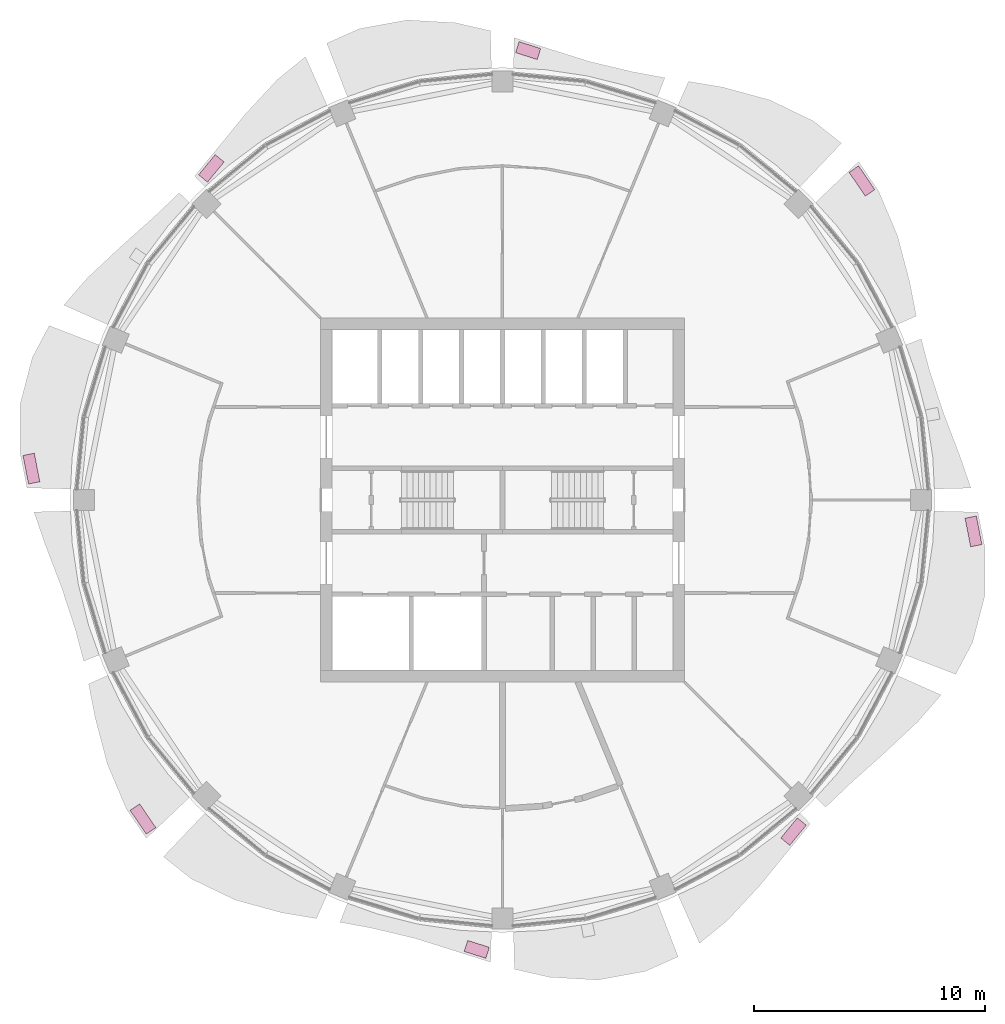
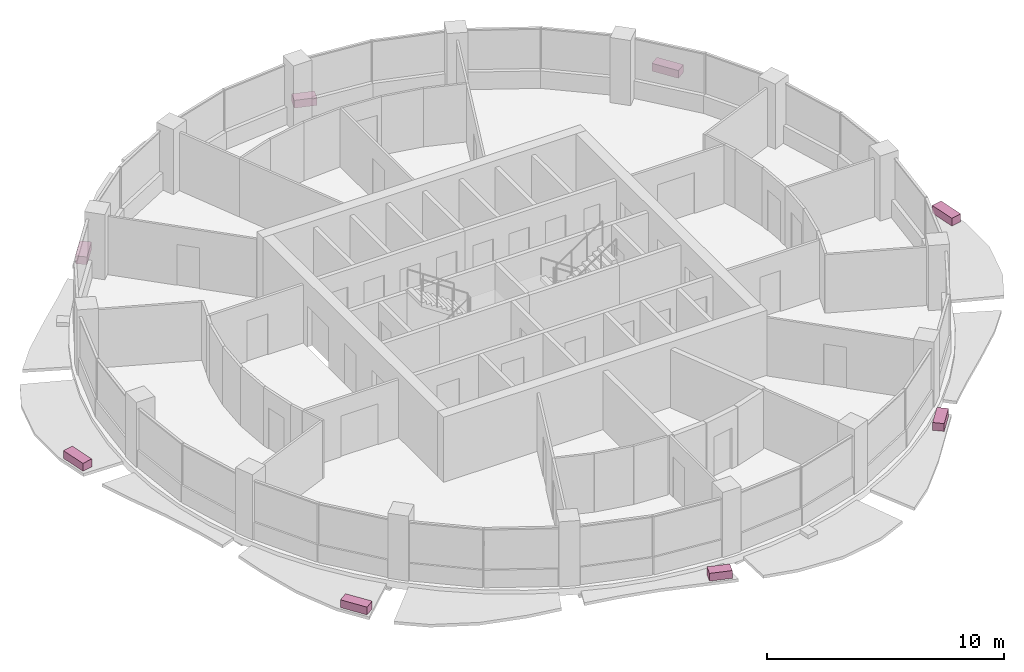
# One storey, part 15 of 15: 8 furniture elements.
"""IFC4 building model written with IfcOpenShell, lengths in metres."""

from ifc_helpers import new_model, si_unit, direction, frame, origin, origin_2d, place, context, subcontext, project, spatial, rectangle, extrude, material, type_object, element, save


model = new_model("IFC4")

# Units and contexts
model_context = context("Model", 3, precision=1e-05, world=origin(), true_north=direction((0.0, 1.0)))
body_context = subcontext(model_context, "Body", "Model", "MODEL_VIEW")
ifc_project = project(units=[si_unit("LENGTHUNIT", "METRE"), si_unit("AREAUNIT", "SQUARE_METRE"), si_unit("VOLUMEUNIT", "CUBIC_METRE"), si_unit("PLANEANGLEUNIT", "RADIAN"), si_unit("MASSUNIT", "GRAM", prefix="KILO")], contexts=[model_context])

# Site, building, storey
site_placement = place(None, origin())
site = spatial("IfcSite", under=ifc_project, at=site_placement, CompositionType="ELEMENT")
building_placement = place(site_placement, origin())
building = spatial("IfcBuilding", under=site, at=building_placement, Name="Polderwave Tower", CompositionType="ELEMENT")
storey_placement = place(building_placement, frame((0.0, 0.0, 174.25)))
storey = spatial("IfcBuildingStorey", under=building, at=storey_placement, Name="L46", CompositionType="ELEMENT", Elevation=174.25)

# Furniture
ifc_material = material(Name="Terracotta", Category="masonry")
furniture_type = type_object("IfcFurnitureType", Name="Terracotta planting trough", AssemblyPlace="NOTDEFINED", PredefinedType="USERDEFINED", material=ifc_material)
furniture_1_placement = place(storey_placement, frame((15.544921875, 13.795166015625, -0.199951171875), z_axis=(0.0, 0.0, 1.0), x_axis=(-0.563550559519, 0.826081573978, 0.0)))
element("IfcFurniture", 1, at=furniture_1_placement, inside=storey, type_object=furniture_type, Name="Planting trough L46 2", ObjectType="PLANTER", PredefinedType="USERDEFINED", context=body_context, shape_type="SweptSolid", body=[
    extrude(rectangle(XDim=1.24853515625, YDim=0.5, at=origin_2d()), origin(), (0.0, 0.0, 1.0), 0.39990234375),
])
furniture_2_placement = place(storey_placement, frame((1.111328125, 19.4326171875, -0.199951171875), z_axis=(0.0, 0.0, 1.0), x_axis=(-0.953201221913, 0.302336617935, 0.0)))
element("IfcFurniture", 2, at=furniture_2_placement, inside=storey, type_object=furniture_type, Name="Planting trough L46 4", ObjectType="PLANTER", PredefinedType="USERDEFINED", context=body_context, shape_type="SweptSolid", body=[
    extrude(rectangle(XDim=0.984619140625, YDim=0.5, at=origin_2d()), origin(), (0.0, 0.0, 1.0), 0.39990234375),
])
furniture_3_placement = place(storey_placement, frame((-12.587158203125, 14.3388671875, -0.199951171875), z_axis=(0.0, 0.0, 1.0), x_axis=(-0.634628008356, -0.772817760543, 0.0)))
element("IfcFurniture", 3, at=furniture_3_placement, inside=storey, type_object=furniture_type, Name="Planting trough L46 6", ObjectType="PLANTER", PredefinedType="USERDEFINED", context=body_context, shape_type="SweptSolid", body=[
    extrude(rectangle(XDim=1.130859375, YDim=0.5, at=origin_2d()), origin(), (0.0, 0.0, 1.0), 0.39990234375),
])
furniture_4_placement = place(storey_placement, frame((-20.368896484375, 1.357177734375, -0.199951171875), z_axis=(0.0, 0.0, 1.0), x_axis=(0.193051156249, -0.981188692898, 0.0)))
element("IfcFurniture", 4, at=furniture_4_placement, inside=storey, type_object=furniture_type, Name="Planting trough L46 8", ObjectType="PLANTER", PredefinedType="USERDEFINED", context=body_context, shape_type="SweptSolid", body=[
    extrude(rectangle(XDim=1.260009765625, YDim=0.5, at=origin_2d()), origin(), (0.0, 0.0, 1.0), 0.39990234375),
])
furniture_5_placement = place(storey_placement, frame((-15.544921875, -13.795166015625, -0.199951171875), z_axis=(0.0, 0.0, 1.0), x_axis=(0.563550559519, -0.826081573978, 0.0)))
element("IfcFurniture", 5, at=furniture_5_placement, inside=storey, type_object=furniture_type, Name="Planting trough L46 10", ObjectType="PLANTER", PredefinedType="USERDEFINED", context=body_context, shape_type="SweptSolid", body=[
    extrude(rectangle(XDim=1.24853515625, YDim=0.5, at=origin_2d()), origin(), (0.0, 0.0, 1.0), 0.39990234375),
])
furniture_6_placement = place(storey_placement, frame((-1.111328125, -19.4326171875, -0.199951171875), z_axis=(0.0, 0.0, 1.0), x_axis=(0.953201221913, -0.302336617935, 0.0)))
element("IfcFurniture", 6, at=furniture_6_placement, inside=storey, type_object=furniture_type, Name="Planting trough L46 12", ObjectType="PLANTER", PredefinedType="USERDEFINED", context=body_context, shape_type="SweptSolid", body=[
    extrude(rectangle(XDim=0.984619140625, YDim=0.5, at=origin_2d()), origin(), (0.0, 0.0, 1.0), 0.39990234375),
])
furniture_7_placement = place(storey_placement, frame((12.587158203125, -14.3388671875, -0.199951171875), z_axis=(0.0, 0.0, 1.0), x_axis=(0.634628008356, 0.772817760543, 0.0)))
element("IfcFurniture", 7, at=furniture_7_placement, inside=storey, type_object=furniture_type, Name="Planting trough L46 14", ObjectType="PLANTER", PredefinedType="USERDEFINED", context=body_context, shape_type="SweptSolid", body=[
    extrude(rectangle(XDim=1.130859375, YDim=0.5, at=origin_2d()), origin(), (0.0, 0.0, 1.0), 0.39990234375),
])
furniture_8_placement = place(storey_placement, frame((20.368896484375, -1.357177734375, -0.199951171875), z_axis=(0.0, 0.0, 1.0), x_axis=(-0.193051156249, 0.981188692898, 0.0)))
element("IfcFurniture", 8, at=furniture_8_placement, inside=storey, type_object=furniture_type, Name="Planting trough L46 16", ObjectType="PLANTER", PredefinedType="USERDEFINED", context=body_context, shape_type="SweptSolid", body=[
    extrude(rectangle(XDim=1.260009765625, YDim=0.5, at=origin_2d()), origin(), (0.0, 0.0, 1.0), 0.39990234375),
])

save(model, "model.ifc")
